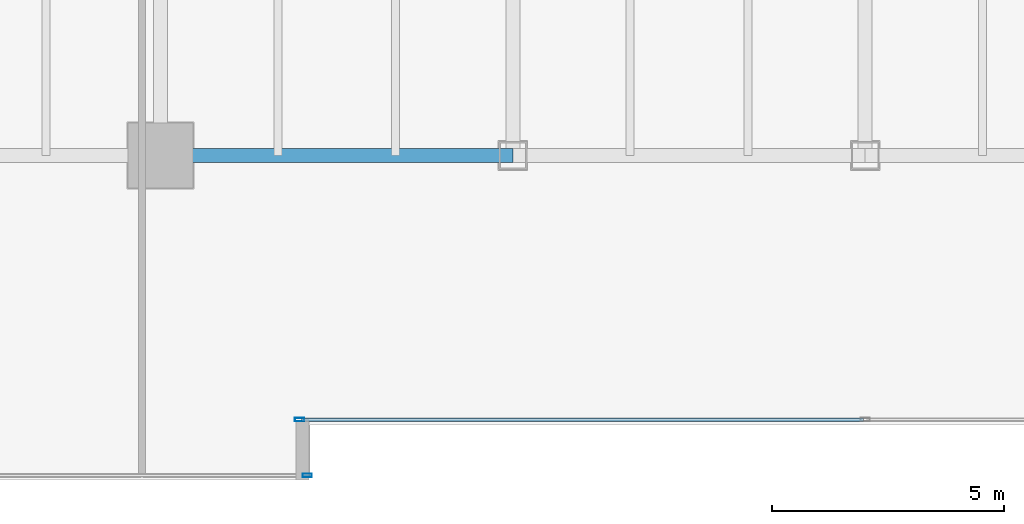
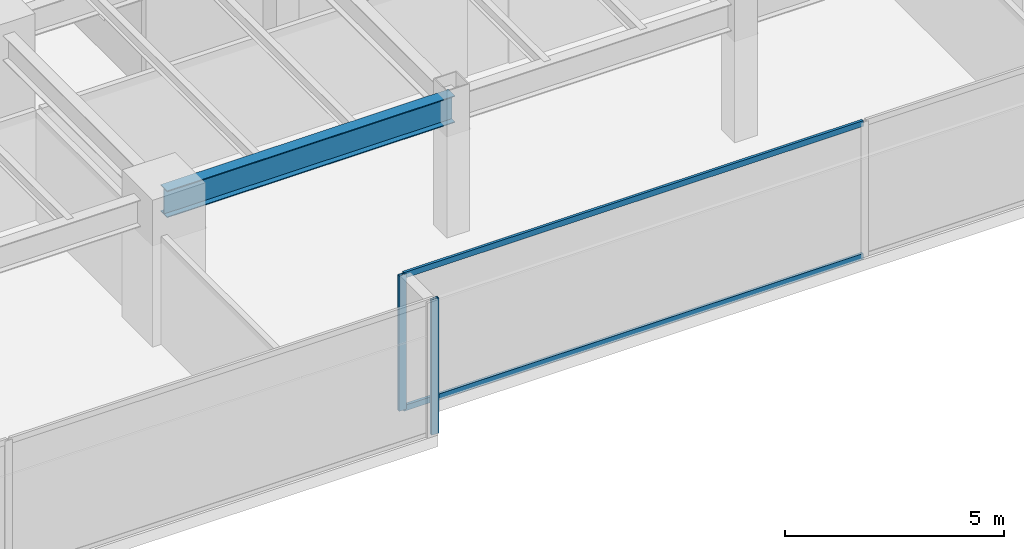
# One storey, part 4 of 36: 4 members, 1 beam, 2 elements without a shape of their own.
"""IFC4 building model written with IfcOpenShell, lengths in metres."""

from ifc_helpers import new_model, si_unit, direction, frame, origin, origin_2d, place, context, subcontext, project, spatial, hollow_rectangle, i_section, extrude, source, transform, mapped, material, layer, layer_set, material_profile, profile_set, type_object, type_shapes, element, aggregate, save


model = new_model("IFC4")

# Units and contexts
model_context = context("Model", 3, precision=1e-05, world=origin(), true_north=direction((0.0, 1.0)))
body_context = subcontext(model_context, "Body", "Model", "MODEL_VIEW")
ifc_project = project(units=[si_unit("LENGTHUNIT", "METRE"), si_unit("AREAUNIT", "SQUARE_METRE"), si_unit("VOLUMEUNIT", "CUBIC_METRE"), si_unit("PLANEANGLEUNIT", "RADIAN"), si_unit("MASSUNIT", "GRAM", prefix="KILO")], contexts=[model_context])

# Site, building, storey
site_placement = place(None, origin())
site = spatial("IfcSite", under=ifc_project, at=site_placement, CompositionType="ELEMENT")
building_placement = place(site_placement, origin())
building = spatial("IfcBuilding", under=site, at=building_placement, Name="Haelvirn Gate Laboratories", CompositionType="ELEMENT")
storey_placement = place(building_placement, frame((0.0, 0.0, 53.89990234375)))
storey = spatial("IfcBuildingStorey", under=building, at=storey_placement, Name="L13", CompositionType="ELEMENT", Elevation=53.89990234375)

# Beam
ifc_material_1 = material(Name="Steel SM355", Category="steel")
ifc_material_profile_1 = material_profile(ifc_material_1, i_section(OverallWidth=0.300048828125, OverallDepth=0.75, WebThickness=0.013916015625, FlangeThickness=0.02392578125, at=origin_2d()), Name="H-750x300x14x24")
ifc_profile_set_1 = profile_set([ifc_material_profile_1], Name="Steel SM355")
beam_type = type_object("IfcBeamType", Name="BM-G-750", PredefinedType="BEAM", material=ifc_profile_set_1)
shared_shape_1 = source(origin(), body_context, "Body", "SweptSolid", [
    extrude(i_section(OverallWidth=0.300048828125, OverallDepth=0.75, WebThickness=0.013916015625, FlangeThickness=0.02392578125, at=origin_2d()), origin(), (0.0, 0.0, 1.0), 7.60009765625),
])
type_shapes(beam_type, [shared_shape_1])
beam_placement = place(storey_placement, frame((22.199951171875, 7.0, 3.405029296875), z_axis=(1.0, 0.0, 0.0), x_axis=(0.0, 1.0, 0.0)))
element("IfcBeam", 1, at=beam_placement, inside=storey, type_object=beam_type, Name="L13 Primary Girder Y7.0 (22.2-29.8)", PredefinedType="BEAM", context=body_context, shape_type="MappedRepresentation", body=[
    mapped(shared_shape_1, transform((0.0, 0.0, 0.0), scale=1.0)),
])

# Curtain wall, member
ifc_material_2 = material(Name="Anodised bronze unitised aluminium & triple low-E glass", Category="aluminium")
ifc_layer = layer(ifc_material_2, 0.18408203125, Name="CW-SYS-2")
ifc_layer_set = layer_set([ifc_layer], Name="Anodised bronze unitised aluminium & triple low-E glass")
curtain_wall_type = type_object("IfcCurtainWallType", Name="CW-SYS-2", PredefinedType="NOTDEFINED", material=ifc_layer_set)
curtain_wall_1_placement = place(storey_placement, origin())
curtain_wall_1 = element("IfcCurtainWall", 2, at=curtain_wall_1_placement, inside=storey, type_object=curtain_wall_type, Name="L13 Unitised Curtain Wall CW-L13-P0-E00-1", PredefinedType="NOTDEFINED")
ifc_material_3 = material(Name="Extruded aluminium 6063-T6 (anodised bronze)", Category="aluminium")
ifc_material_profile_2 = material_profile(ifc_material_3, hollow_rectangle(XDim=0.074951171875, YDim=0.199951171875, WallThickness=0.0048828125, at=origin_2d()), Name="CWM-200x75x5")
ifc_profile_set_2 = profile_set([ifc_material_profile_2], Name="Extruded aluminium 6063-T6 (anodised bronze)")
member_type_1 = type_object("IfcMemberType", Name="CWM-T200", PredefinedType="MULLION", material=ifc_profile_set_2)
shared_shape_2 = source(origin(), body_context, "Body", "SweptSolid", [
    extrude(hollow_rectangle(XDim=0.074951171875, YDim=0.199951171875, WallThickness=0.0048828125, at=origin_2d()), origin(), (0.0, 0.0, 1.0), 3.780029296875),
])
type_shapes(member_type_1, [shared_shape_2])
member_1_placement = place(storey_placement, frame((25.362548828125, 0.10009765625, 0.0), z_axis=(0.0, 0.0, 1.0), x_axis=(0.0, 1.0, 0.0)))
member_1 = element("IfcMember", 3, at=member_1_placement, type_object=member_type_1, Name="CW2 mullion 3", PredefinedType="MULLION", context=body_context, shape_type="MappedRepresentation", body=[
    mapped(shared_shape_2, transform((0.0, 0.0, 0.0), scale=1.0)),
])
aggregate(curtain_wall_1, [member_1])

# Curtain wall, members
curtain_wall_2_placement = place(storey_placement, origin())
curtain_wall_2 = element("IfcCurtainWall", 4, at=curtain_wall_2_placement, inside=storey, type_object=curtain_wall_type, Name="L13 Unitised Curtain Wall CW-L13-P0-E02-1", PredefinedType="NOTDEFINED")
member_2_placement = place(storey_placement, frame((25.197509765625, 1.300048828125, 0.0), z_axis=(0.0, 0.0, 1.0), x_axis=(0.0, 1.0, 0.0)))
member_2 = element("IfcMember", 5, at=member_2_placement, type_object=member_type_1, Name="CW2 mullion 1", PredefinedType="MULLION", context=body_context, shape_type="MappedRepresentation", body=[
    mapped(shared_shape_2, transform((0.0, 0.0, 0.0), scale=1.0)),
])
ifc_material_profile_3 = material_profile(ifc_material_3, hollow_rectangle(XDim=0.070068359375, YDim=0.159912109375, WallThickness=0.0048828125, at=origin_2d()), Name="CWT-160x70x5")
ifc_profile_set_3 = profile_set([ifc_material_profile_3], Name="Extruded aluminium 6063-T6 (anodised bronze)")
member_type_2 = type_object("IfcMemberType", Name="CWT-T160", PredefinedType="USERDEFINED", material=ifc_profile_set_3)
shared_shape_3 = source(origin(), body_context, "Body", "SweptSolid", [
    extrude(hollow_rectangle(XDim=0.070068359375, YDim=0.159912109375, WallThickness=0.0048828125, at=origin_2d()), origin(), (0.0, 0.0, 1.0), 12.12744140625),
])
type_shapes(member_type_2, [shared_shape_3])
member_3_placement = place(storey_placement, frame((25.235107421875, 1.300048828125, 0.03515625), z_axis=(1.0, 0.0, 0.0), x_axis=(0.0, 1.0, 0.0)))
member_3 = element("IfcMember", 6, at=member_3_placement, type_object=member_type_2, Name="CW2 transom 1.1", ObjectType="TRANSOM", PredefinedType="USERDEFINED", context=body_context, shape_type="MappedRepresentation", body=[
    mapped(shared_shape_3, transform((0.0, 0.0, 0.0), scale=1.0)),
])
member_4_placement = place(storey_placement, frame((25.235107421875, 1.300048828125, 3.7451171875), z_axis=(1.0, 0.0, 0.0), x_axis=(0.0, 1.0, 0.0)))
member_4 = element("IfcMember", 7, at=member_4_placement, type_object=member_type_2, Name="CW2 transom 1.2", ObjectType="TRANSOM", PredefinedType="USERDEFINED", context=body_context, shape_type="MappedRepresentation", body=[
    mapped(shared_shape_3, transform((0.0, 0.0, 0.0), scale=1.0)),
])
aggregate(curtain_wall_2, [member_2, member_3, member_4])

save(model, "model.ifc")
